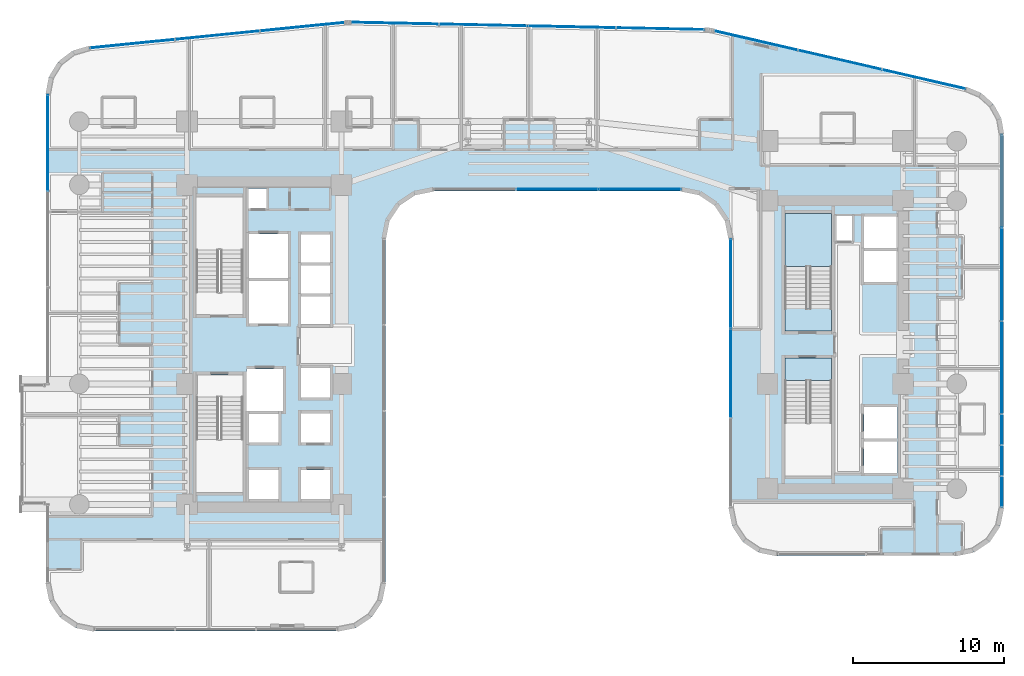
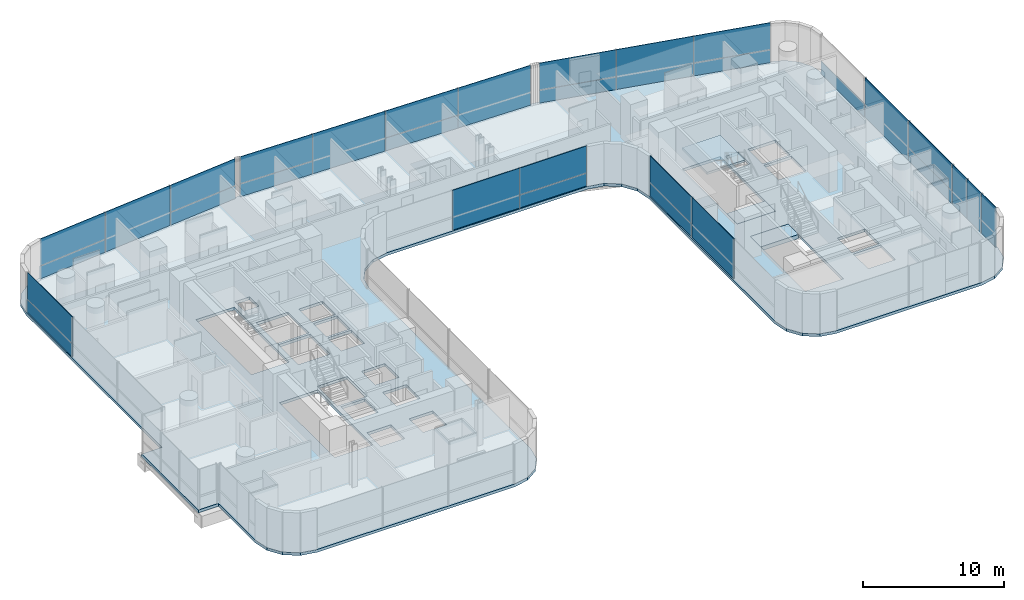
# One storey, part 29 of 42: 31 plates, 4 slabs, 8 elements without a shape of their own.
"""IFC4 building model written with IfcOpenShell, lengths in metres."""

from ifc_helpers import new_model, si_unit, direction, frame, origin, origin_2d, place, context, subcontext, project, spatial, polyline, rectangle, outline, extrude, source, transform, mapped, material, layer, layer_set, type_object, element, aggregate, save


model = new_model("IFC4")

# Units and contexts
model_context = context("Model", 3, precision=1e-05, world=origin(), true_north=direction((0.0, 1.0)))
body_context = subcontext(model_context, "Body", "Model", "MODEL_VIEW")
ifc_project = project(units=[si_unit("LENGTHUNIT", "METRE"), si_unit("AREAUNIT", "SQUARE_METRE"), si_unit("VOLUMEUNIT", "CUBIC_METRE"), si_unit("PLANEANGLEUNIT", "RADIAN"), si_unit("MASSUNIT", "GRAM", prefix="KILO")], contexts=[model_context])

# Site, building, storey
site_placement = place(None, origin())
site = spatial("IfcSite", under=ifc_project, at=site_placement, CompositionType="ELEMENT")
building_placement = place(site_placement, origin())
building = spatial("IfcBuilding", under=site, at=building_placement, Name="Valdorenza Pilgrim Sanctuary Tower", CompositionType="ELEMENT")
storey_placement = place(building_placement, frame((0.0, 0.0, 29.699951171875)))
storey = spatial("IfcBuildingStorey", under=building, at=storey_placement, Name="L06", CompositionType="ELEMENT", Elevation=29.699951171875)

# Slab
ifc_material_1 = material(Name="Concrete C40/50", Category="concrete")
ifc_layer_1 = layer(ifc_material_1, 0.239990234375, Name="Concrete C40/50")
ifc_layer_set_1 = layer_set([ifc_layer_1], Name="Concrete C40/50")
slab_type_1 = type_object("IfcSlabType", Name="SLAB-FLR-220", PredefinedType="FLOOR", material=ifc_layer_set_1)
slab_1_placement = place(storey_placement, frame((0.0, 0.0, -0.239990234375)))
element("IfcSlab", 1, at=slab_1_placement, inside=storey, type_object=slab_type_1, Name="L06 Structural Floor Slab 1", PredefinedType="FLOOR", context=body_context, shape_type="SweptSolid", body=[
    extrude(outline(polyline([(-33.64990234375, -2.60009765625), (-32.0, -2.60009765625), (-32.0, 16.60400390625), (-31.785888671875, 17.754638671875), (-31.172607421875, 18.751220703125), (-30.241943359375, 19.460693359375), (-29.118408203125, 19.7880859375), (-12.192138671875, 21.480712890625), (-11.999755859375, 21.494140625), (-11.806884765625, 21.49609375), (11.66943359375, 21.0068359375), (11.833984375, 20.999267578125), (11.997802734375, 20.983154296875), (12.160888671875, 20.95849609375), (12.322265625, 20.925537109375), (29.01953125, 17.072509765625), (30.00732421875, 16.660888671875), (30.80419921875, 15.946533203125), (31.321044921875, 15.009521484375), (31.5, 13.954345703125), (31.5, -10.800048828125), (31.25634765625, -12.024658203125), (30.562744140625, -13.062744140625), (29.524658203125, -13.75634765625), (28.300048828125, -14.0), (16.5, -14.0), (15.275390625, -13.75634765625), (14.2373046875, -13.062744140625), (13.543701171875, -12.024658203125), (13.300048828125, -10.800048828125), (13.300048828125, 7.0), (13.056396484375, 8.224609375), (12.36279296875, 9.2626953125), (11.32470703125, 9.956298828125), (10.10009765625, 10.199951171875), (-6.300048828125, 10.199951171875), (-7.524658203125, 9.956298828125), (-8.562744140625, 9.2626953125), (-9.25634765625, 8.224609375), (-9.5, 7.0), (-9.5, -15.800048828125), (-9.74365234375, -17.024658203125), (-10.437255859375, -18.062744140625), (-11.475341796875, -18.75634765625), (-12.699951171875, -19.0), (-28.800048828125, -19.0), (-30.024658203125, -18.75634765625), (-31.062744140625, -18.062744140625), (-31.75634765625, -17.024658203125), (-32.0, -15.800048828125), (-32.0, -10.60009765625), (-33.64990234375, -10.60009765625), (-33.64990234375, -2.60009765625)]), holes=[polyline([(-16.60009765625, -10.25), (-16.60009765625, -8.300048828125), (-18.550048828125, -8.300048828125), (-18.550048828125, -10.25), (-16.60009765625, -10.25)]), polyline([(-22.050048828125, -9.800048828125), (-18.93994140625, -9.800048828125), (-18.93994140625, -3.485107421875), (-18.93994140625, -2.0), (-22.050048828125, -2.0), (-22.050048828125, -3.485107421875), (-22.050048828125, -9.800048828125)]), polyline([(-18.550048828125, -6.5), (-16.60009765625, -6.5), (-16.60009765625, -4.60009765625), (-18.550048828125, -4.60009765625), (-18.550048828125, -6.5)]), polyline([(-13.179931640625, -6.5), (-13.179931640625, -4.550048828125), (-15.10009765625, -4.550048828125), (-15.10009765625, -6.5), (-13.179931640625, -6.5)]), polyline([(-18.719970703125, -4.39990234375), (-16.300048828125, -4.39990234375), (-16.300048828125, -1.60009765625), (-18.719970703125, -1.60009765625), (-18.719970703125, -4.39990234375)]), polyline([(-13.179931640625, -3.5), (-13.179931640625, -1.550048828125), (-15.10009765625, -1.550048828125), (-15.10009765625, -3.5), (-13.179931640625, -3.5)]), polyline([(-22.050048828125, 2.0), (-18.93994140625, 2.0), (-18.93994140625, 3.485107421875), (-18.93994140625, 9.800048828125), (-22.050048828125, 9.800048828125), (-22.050048828125, 3.485107421875), (-22.050048828125, 2.0)]), polyline([(-18.550048828125, 1.39990234375), (-15.949951171875, 1.39990234375), (-15.949951171875, 4.22509765625), (-18.550048828125, 4.22509765625), (-18.550048828125, 1.39990234375)]), polyline([(-15.949951171875, 4.425048828125), (-15.949951171875, 7.35009765625), (-18.550048828125, 7.35009765625), (-18.550048828125, 4.425048828125), (-15.949951171875, 4.425048828125)]), polyline([(-15.10009765625, 5.449951171875), (-13.179931640625, 5.449951171875), (-13.179931640625, 7.300048828125), (-15.10009765625, 7.300048828125), (-15.10009765625, 5.449951171875)]), polyline([(-17.360107421875, 9.030029296875), (-17.360107421875, 10.35009765625), (-18.570068359375, 10.35009765625), (-18.570068359375, 9.030029296875), (-17.360107421875, 9.030029296875)]), polyline([(-15.10009765625, -10.25), (-13.179931640625, -10.25), (-13.179931640625, -8.300048828125), (-15.10009765625, -8.300048828125), (-15.10009765625, -10.25)]), polyline([(22.25, -8.5), (24.47998046875, -8.5), (24.47998046875, -6.425048828125), (22.25, -6.425048828125), (22.25, -8.5)]), polyline([(17.0, -2.385009765625), (17.0, -8.699951171875), (20.110107421875, -8.699951171875), (20.110107421875, -2.385009765625), (20.110107421875, -0.89990234375), (17.0, -0.89990234375), (17.0, -2.385009765625)]), polyline([(22.25, -6.22509765625), (24.47998046875, -6.22509765625), (24.47998046875, -4.14990234375), (22.25, -4.14990234375), (22.25, -6.22509765625)]), polyline([(17.0, 0.89990234375), (20.110107421875, 0.89990234375), (20.110107421875, 2.385009765625), (20.110107421875, 8.699951171875), (17.0, 8.699951171875), (17.0, 2.385009765625), (17.0, 0.89990234375)]), polyline([(-15.10009765625, 1.35009765625), (-13.179931640625, 1.35009765625), (-13.179931640625, 3.199951171875), (-15.10009765625, 3.199951171875), (-15.10009765625, 1.35009765625)]), polyline([(-15.10009765625, 3.39990234375), (-13.179931640625, 3.39990234375), (-13.179931640625, 5.25), (-15.10009765625, 5.25), (-15.10009765625, 3.39990234375)]), polyline([(22.25, 4.14990234375), (24.47998046875, 4.14990234375), (24.47998046875, 6.22509765625), (22.25, 6.22509765625), (22.25, 4.14990234375)]), polyline([(22.25, 6.425048828125), (24.47998046875, 6.425048828125), (24.47998046875, 8.5), (22.25, 8.5), (22.25, 6.425048828125)]), polyline([(20.409912109375, 6.860107421875), (21.489990234375, 6.860107421875), (21.489990234375, 8.52001953125), (20.409912109375, 8.52001953125), (20.409912109375, 6.860107421875)])]), origin(), (0.0, 0.0, 1.0), 0.239990234375),
])

# Stair, slab
stair_type = type_object("IfcStairType", Name="STR-DOG-CORE", PredefinedType="HALF_TURN_STAIR", material=ifc_material_1)
stair_placement = place(storey_placement, origin())
stair = element("IfcStair", 2, at=stair_placement, inside=storey, type_object=stair_type, Name="L06 ST-B1", PredefinedType="HALF_TURN_STAIR")
ifc_layer_2 = layer(ifc_material_1, 0.199951171875, Name="Concrete C40/50")
ifc_layer_set_2 = layer_set([ifc_layer_2], Name="Concrete C40/50")
slab_type_2 = type_object("IfcSlabType", Name="SLAB-STL-200", PredefinedType="LANDING", material=ifc_layer_set_2)
slab_2_placement = place(storey_placement, frame((0.0, 0.0, 1.650146484375)))
slab_2 = element("IfcSlab", 3, at=slab_2_placement, type_object=slab_type_2, Name="ST-B1 landing 1", PredefinedType="LANDING", context=body_context, shape_type="SweptSolid", body=[
    extrude(outline(polyline([(20.110107421875, 5.179931640625), (20.110107421875, 8.699951171875), (17.0, 8.699951171875), (17.0, 5.179931640625), (20.110107421875, 5.179931640625)])), origin(), (0.0, 0.0, 1.0), 0.199951171875),
])
aggregate(stair, [slab_2])

# Slabs
ifc_material_2 = material(Name="Concrete C50/60", Category="concrete")
ifc_layer_3 = layer(ifc_material_2, 0.39990234375, Name="Concrete C50/60")
ifc_layer_set_3 = layer_set([ifc_layer_3], Name="Concrete C50/60")
slab_type_3 = type_object("IfcSlabType", Name="SLAB-TRF-400", PredefinedType="FLOOR", material=ifc_layer_set_3)
slab_3_placement = place(storey_placement, frame((0.0, 0.0, -0.35986328125)))
element("IfcSlab", 4, at=slab_3_placement, inside=storey, type_object=slab_type_3, Name="L06 ST-B1 Structural Stair Landing Bearing Slab", PredefinedType="FLOOR", context=body_context, shape_type="SweptSolid", body=[
    extrude(outline(polyline([(17.0, 0.89990234375), (20.110107421875, 0.89990234375), (20.110107421875, 2.385009765625), (17.0, 2.385009765625), (17.0, 0.89990234375)])), origin(), (0.0, 0.0, 1.0), 0.35986328125),
])
slab_4_placement = place(storey_placement, frame((0.0, 0.0, -0.35986328125)))
element("IfcSlab", 5, at=slab_4_placement, inside=storey, type_object=slab_type_3, Name="L06 ST-B2 Structural Stair Landing Bearing Slab", PredefinedType="FLOOR", context=body_context, shape_type="SweptSolid", body=[
    extrude(outline(polyline([(17.0, -2.385009765625), (20.110107421875, -2.385009765625), (20.110107421875, -0.89990234375), (17.0, -0.89990234375), (17.0, -2.385009765625)])), origin(), (0.0, 0.0, 1.0), 0.35986328125),
])

# Curtain wall, plates
ifc_material_3 = material(Name="Curtain-wall IGU glazing", Category="glass")
curtain_wall_type_1 = type_object("IfcCurtainWallType", Name="CW-SYS-02", PredefinedType="NOTDEFINED", material=ifc_material_3)
curtain_wall_1_placement = place(storey_placement, origin())
curtain_wall_1 = element("IfcCurtainWall", 6, at=curtain_wall_1_placement, inside=storey, type_object=curtain_wall_type_1, Name="L06 Curtain Wall CW-L06-1-1S2", PredefinedType="NOTDEFINED")
ifc_material_4 = material(Name="Honed travertine limestone", Category="masonry")
ifc_layer_4 = layer(ifc_material_4, 0.050048828125, Name="Honed travertine limestone")
ifc_layer_set_4 = layer_set([ifc_layer_4], Name="Honed travertine limestone")
plate_type_1 = type_object("IfcPlateType", Name="CW-SPN-TRV", PredefinedType="USERDEFINED", material=ifc_layer_set_4)
shared_shape_1 = source(origin(), body_context, "Body", "SweptSolid", [
    extrude(rectangle(XDim=6.3779296875, YDim=0.06005859375, at=origin_2d()), origin(), (0.0, 0.0, 1.0), 1.10009765625),
])
plate_1_placement = place(storey_placement, frame((-31.889892578125, 13.39501953125, 0.010009765625), z_axis=(0.0, 0.0, 1.0), x_axis=(0.0, 1.0, 0.0)))
plate_1 = element("IfcPlate", 7, at=plate_1_placement, type_object=plate_type_1, Name="CW-L06-1-1S2 Travertine Spandrel 3", ObjectType="SPANDREL", PredefinedType="USERDEFINED", context=body_context, shape_type="MappedRepresentation", body=[
    mapped(shared_shape_1, transform((0.0, 0.0, 0.0), x_axis=(1.0, 0.0, 0.0), y_axis=(0.0, 1.0, 0.0), z_axis=(0.0, 0.0, 1.0), scale=1.0)),
])
ifc_material_5 = material(Name="Ceramic-fritted low-E IGU glazing", Category="glass")
ifc_layer_5 = layer(ifc_material_5, 0.035888671875, Name="Ceramic-fritted low-E IGU glazing")
ifc_layer_set_5 = layer_set([ifc_layer_5], Name="Ceramic-fritted low-E IGU glazing")
plate_type_2 = type_object("IfcPlateType", Name="CW-GLZ-IGU", PredefinedType="USERDEFINED", material=ifc_layer_set_5)
shared_shape_2 = source(origin(), body_context, "Body", "SweptSolid", [
    extrude(rectangle(XDim=6.3779296875, YDim=0.050048828125, at=origin_2d()), origin(), (0.0, 0.0, 1.0), 2.320068359375),
])
plate_2_placement = place(storey_placement, frame((-31.889892578125, 13.39501953125, 1.1298828125), z_axis=(0.0, 0.0, 1.0), x_axis=(0.0, 1.0, 0.0)))
plate_2 = element("IfcPlate", 8, at=plate_2_placement, type_object=plate_type_2, Name="CW-L06-1-1S2 Facade Panel 3", ObjectType="GLAZING", PredefinedType="USERDEFINED", context=body_context, shape_type="MappedRepresentation", body=[
    mapped(shared_shape_2, transform((0.0, 0.0, 0.0), x_axis=(1.0, 0.0, 0.0), y_axis=(0.0, 1.0, 0.0), z_axis=(0.0, 0.0, 1.0), scale=1.0)),
])
aggregate(curtain_wall_1, [plate_1, plate_2])

curtain_wall_2_placement = place(storey_placement, origin())
curtain_wall_2 = element("IfcCurtainWall", 9, at=curtain_wall_2_placement, inside=storey, type_object=curtain_wall_type_1, Name="L06 Curtain Wall CW-L06-1-6", PredefinedType="NOTDEFINED")
shared_shape_3 = source(origin(), body_context, "Body", "SweptSolid", [
    extrude(rectangle(XDim=5.646484375, YDim=0.06005859375, at=origin_2d()), origin(), (0.0, 0.0, 1.0), 1.10009765625),
])
plate_3_placement = place(storey_placement, frame((-26.2783203125, 19.961669921875, 0.010009765625), z_axis=(0.0, 0.0, 1.0), x_axis=(0.995038220239, 0.099493418189, 0.0)))
plate_3 = element("IfcPlate", 10, at=plate_3_placement, type_object=plate_type_1, Name="CW-L06-1-6 Travertine Spandrel 1", ObjectType="SPANDREL", PredefinedType="USERDEFINED", context=body_context, shape_type="MappedRepresentation", body=[
    mapped(shared_shape_3, transform((0.0, 0.0, 0.0), x_axis=(1.0, 0.0, 0.0), y_axis=(0.0, 1.0, 0.0), z_axis=(0.0, 0.0, 1.0), scale=1.0)),
])
plate_4_placement = place(storey_placement, frame((-15.001220703125, 21.08935546875, 0.010009765625), z_axis=(0.0, 0.0, 1.0), x_axis=(0.995038220239, 0.099493418189, 0.0)))
plate_4 = element("IfcPlate", 11, at=plate_4_placement, type_object=plate_type_1, Name="CW-L06-1-6 Travertine Spandrel 3", ObjectType="SPANDREL", PredefinedType="USERDEFINED", context=body_context, shape_type="MappedRepresentation", body=[
    mapped(shared_shape_3, transform((0.0, 0.0, 0.0), x_axis=(1.0, 0.0, 0.0), y_axis=(0.0, 1.0, 0.0), z_axis=(0.0, 0.0, 1.0), scale=1.0)),
])
shared_shape_4 = source(origin(), body_context, "Body", "SweptSolid", [
    extrude(rectangle(XDim=5.646484375, YDim=0.050048828125, at=origin_2d()), origin(), (0.0, 0.0, 1.0), 2.320068359375),
])
plate_5_placement = place(storey_placement, frame((-26.2783203125, 19.961669921875, 1.1298828125), z_axis=(0.0, 0.0, 1.0), x_axis=(0.995038220239, 0.099493418189, 0.0)))
plate_5 = element("IfcPlate", 12, at=plate_5_placement, type_object=plate_type_2, Name="CW-L06-1-6 Facade Panel 1", ObjectType="GLAZING", PredefinedType="USERDEFINED", context=body_context, shape_type="MappedRepresentation", body=[
    mapped(shared_shape_4, transform((0.0, 0.0, 0.0), x_axis=(1.0, 0.0, 0.0), y_axis=(0.0, 1.0, 0.0), z_axis=(0.0, 0.0, 1.0), scale=1.0)),
])
plate_6_placement = place(storey_placement, frame((-15.001220703125, 21.08935546875, 1.1298828125), z_axis=(0.0, 0.0, 1.0), x_axis=(0.995038220239, 0.099493418189, 0.0)))
plate_6 = element("IfcPlate", 13, at=plate_6_placement, type_object=plate_type_2, Name="CW-L06-1-6 Facade Panel 3", ObjectType="GLAZING", PredefinedType="USERDEFINED", context=body_context, shape_type="MappedRepresentation", body=[
    mapped(shared_shape_4, transform((0.0, 0.0, 0.0), x_axis=(1.0, 0.0, 0.0), y_axis=(0.0, 1.0, 0.0), z_axis=(0.0, 0.0, 1.0), scale=1.0)),
])
shared_shape_5 = source(origin(), body_context, "Body", "SweptSolid", [
    extrude(rectangle(XDim=5.646484375, YDim=0.050048828125, at=origin_2d()), origin(), (0.0, 0.0, 1.0), 3.43994140625),
])
plate_7_placement = place(storey_placement, frame((-20.6396484375, 20.525634765625, 0.010009765625), z_axis=(0.0, 0.0, 1.0), x_axis=(0.995038220239, 0.099493418189, 0.0)))
plate_7 = element("IfcPlate", 14, at=plate_7_placement, type_object=plate_type_2, Name="CW-L06-1-6 Full-Height Facade Panel 2", ObjectType="GLAZING", PredefinedType="USERDEFINED", context=body_context, shape_type="MappedRepresentation", body=[
    mapped(shared_shape_5, transform((0.0, 0.0, 0.0), x_axis=(1.0, 0.0, 0.0), y_axis=(0.0, 1.0, 0.0), z_axis=(0.0, 0.0, 1.0), scale=1.0)),
])
aggregate(curtain_wall_2, [plate_3, plate_5, plate_7, plate_4, plate_6])

curtain_wall_3_placement = place(storey_placement, origin())
curtain_wall_3 = element("IfcCurtainWall", 15, at=curtain_wall_3_placement, inside=storey, type_object=curtain_wall_type_1, Name="L06 Curtain Wall CW-L06-1-11", PredefinedType="NOTDEFINED")
shared_shape_6 = source(origin(), body_context, "Body", "SweptSolid", [
    extrude(rectangle(XDim=5.849853515625, YDim=0.06005859375, at=origin_2d()), origin(), (0.0, 0.0, 1.0), 1.10009765625),
])
plate_8_placement = place(storey_placement, frame((-8.8740234375, 21.324951171875, 0.010009765625), z_axis=(0.0, 0.0, 1.0), x_axis=(0.999783234613, -0.020820273474, 0.0)))
plate_8 = element("IfcPlate", 16, at=plate_8_placement, type_object=plate_type_1, Name="CW-L06-1-11 Travertine Spandrel 1", ObjectType="SPANDREL", PredefinedType="USERDEFINED", context=body_context, shape_type="MappedRepresentation", body=[
    mapped(shared_shape_6, transform((0.0, 0.0, 0.0), x_axis=(1.0, 0.0, 0.0), y_axis=(0.0, 1.0, 0.0), z_axis=(0.0, 0.0, 1.0), scale=1.0)),
])
plate_9_placement = place(storey_placement, frame((2.86279296875, 21.080322265625, 0.010009765625), z_axis=(0.0, 0.0, 1.0), x_axis=(0.999783234613, -0.020820273474, 0.0)))
plate_9 = element("IfcPlate", 17, at=plate_9_placement, type_object=plate_type_1, Name="CW-L06-1-11 Travertine Spandrel 3", ObjectType="SPANDREL", PredefinedType="USERDEFINED", context=body_context, shape_type="MappedRepresentation", body=[
    mapped(shared_shape_6, transform((0.0, 0.0, 0.0), x_axis=(1.0, 0.0, 0.0), y_axis=(0.0, 1.0, 0.0), z_axis=(0.0, 0.0, 1.0), scale=1.0)),
])
shared_shape_7 = source(origin(), body_context, "Body", "SweptSolid", [
    extrude(rectangle(XDim=5.849853515625, YDim=0.050048828125, at=origin_2d()), origin(), (0.0, 0.0, 1.0), 2.320068359375),
])
plate_10_placement = place(storey_placement, frame((-8.8740234375, 21.324951171875, 1.1298828125), z_axis=(0.0, 0.0, 1.0), x_axis=(0.999783234613, -0.020820273474, 0.0)))
plate_10 = element("IfcPlate", 18, at=plate_10_placement, type_object=plate_type_2, Name="CW-L06-1-11 Facade Panel 1", ObjectType="GLAZING", PredefinedType="USERDEFINED", context=body_context, shape_type="MappedRepresentation", body=[
    mapped(shared_shape_7, transform((0.0, 0.0, 0.0), x_axis=(1.0, 0.0, 0.0), y_axis=(0.0, 1.0, 0.0), z_axis=(0.0, 0.0, 1.0), scale=1.0)),
])
plate_11_placement = place(storey_placement, frame((2.86279296875, 21.080322265625, 1.1298828125), z_axis=(0.0, 0.0, 1.0), x_axis=(0.999783234613, -0.020820273474, 0.0)))
plate_11 = element("IfcPlate", 19, at=plate_11_placement, type_object=plate_type_2, Name="CW-L06-1-11 Facade Panel 3", ObjectType="GLAZING", PredefinedType="USERDEFINED", context=body_context, shape_type="MappedRepresentation", body=[
    mapped(shared_shape_7, transform((0.0, 0.0, 0.0), x_axis=(1.0, 0.0, 0.0), y_axis=(0.0, 1.0, 0.0), z_axis=(0.0, 0.0, 1.0), scale=1.0)),
])
shared_shape_8 = source(origin(), body_context, "Body", "SweptSolid", [
    extrude(rectangle(XDim=5.849853515625, YDim=0.050048828125, at=origin_2d()), origin(), (0.0, 0.0, 1.0), 3.43994140625),
])
plate_12_placement = place(storey_placement, frame((-3.005615234375, 21.20263671875, 0.010009765625), z_axis=(0.0, 0.0, 1.0), x_axis=(0.999783234613, -0.020820273474, 0.0)))
plate_12 = element("IfcPlate", 20, at=plate_12_placement, type_object=plate_type_2, Name="CW-L06-1-11 Full-Height Facade Panel 2", ObjectType="GLAZING", PredefinedType="USERDEFINED", context=body_context, shape_type="MappedRepresentation", body=[
    mapped(shared_shape_8, transform((0.0, 0.0, 0.0), x_axis=(1.0, 0.0, 0.0), y_axis=(0.0, 1.0, 0.0), z_axis=(0.0, 0.0, 1.0), scale=1.0)),
])
plate_13_placement = place(storey_placement, frame((8.7314453125, 20.9580078125, 0.010009765625), z_axis=(0.0, 0.0, 1.0), x_axis=(0.999783234613, -0.020820273474, 0.0)))
plate_13 = element("IfcPlate", 21, at=plate_13_placement, type_object=plate_type_2, Name="CW-L06-1-11 Full-Height Facade Panel 4", ObjectType="GLAZING", PredefinedType="USERDEFINED", context=body_context, shape_type="MappedRepresentation", body=[
    mapped(shared_shape_8, transform((0.0, 0.0, 0.0), x_axis=(1.0, 0.0, 0.0), y_axis=(0.0, 1.0, 0.0), z_axis=(0.0, 0.0, 1.0), scale=1.0)),
])
aggregate(curtain_wall_3, [plate_8, plate_10, plate_12, plate_9, plate_11, plate_13])

curtain_wall_type_2 = type_object("IfcCurtainWallType", Name="CW-SYS-03", PredefinedType="NOTDEFINED", material=ifc_material_3)
curtain_wall_4_placement = place(storey_placement, origin())
curtain_wall_4 = element("IfcCurtainWall", 22, at=curtain_wall_4_placement, inside=storey, type_object=curtain_wall_type_2, Name="L06 Curtain Wall CW-L06-1-16", PredefinedType="NOTDEFINED")
shared_shape_9 = source(origin(), body_context, "Body", "SweptSolid", [
    extrude(rectangle(XDim=5.6884765625, YDim=0.06005859375, at=origin_2d()), origin(), (0.0, 0.0, 1.0), 1.10009765625),
])
plate_14_placement = place(storey_placement, frame((15.080078125, 20.17626953125, 0.010009765625), z_axis=(0.0, 0.0, 1.0), x_axis=(0.974389691758, -0.224866023659, 0.0)))
plate_14 = element("IfcPlate", 23, at=plate_14_placement, type_object=plate_type_1, Name="CW-L06-1-16 Travertine Spandrel 1", ObjectType="SPANDREL", PredefinedType="USERDEFINED", context=body_context, shape_type="MappedRepresentation", body=[
    mapped(shared_shape_9, transform((0.0, 0.0, 0.0), x_axis=(1.0, 0.0, 0.0), y_axis=(0.0, 1.0, 0.0), z_axis=(0.0, 0.0, 1.0), scale=1.0)),
])
plate_15_placement = place(storey_placement, frame((26.20458984375, 17.609130859375, 0.010009765625), z_axis=(0.0, 0.0, 1.0), x_axis=(0.974389691758, -0.224866023659, 0.0)))
plate_15 = element("IfcPlate", 24, at=plate_15_placement, type_object=plate_type_1, Name="CW-L06-1-16 Travertine Spandrel 3", ObjectType="SPANDREL", PredefinedType="USERDEFINED", context=body_context, shape_type="MappedRepresentation", body=[
    mapped(shared_shape_9, transform((0.0, 0.0, 0.0), x_axis=(1.0, 0.0, 0.0), y_axis=(0.0, 1.0, 0.0), z_axis=(0.0, 0.0, 1.0), scale=1.0)),
])
shared_shape_10 = source(origin(), body_context, "Body", "SweptSolid", [
    extrude(rectangle(XDim=5.6884765625, YDim=0.050048828125, at=origin_2d()), origin(), (0.0, 0.0, 1.0), 2.320068359375),
])
plate_16_placement = place(storey_placement, frame((15.080078125, 20.17626953125, 1.1298828125), z_axis=(0.0, 0.0, 1.0), x_axis=(0.974389691758, -0.224866023659, 0.0)))
plate_16 = element("IfcPlate", 25, at=plate_16_placement, type_object=plate_type_2, Name="CW-L06-1-16 Facade Panel 1", ObjectType="GLAZING", PredefinedType="USERDEFINED", context=body_context, shape_type="MappedRepresentation", body=[
    mapped(shared_shape_10, transform((0.0, 0.0, 0.0), x_axis=(1.0, 0.0, 0.0), y_axis=(0.0, 1.0, 0.0), z_axis=(0.0, 0.0, 1.0), scale=1.0)),
])
plate_17_placement = place(storey_placement, frame((26.20458984375, 17.609130859375, 1.1298828125), z_axis=(0.0, 0.0, 1.0), x_axis=(0.974389691758, -0.224866023659, 0.0)))
plate_17 = element("IfcPlate", 26, at=plate_17_placement, type_object=plate_type_2, Name="CW-L06-1-16 Facade Panel 3", ObjectType="GLAZING", PredefinedType="USERDEFINED", context=body_context, shape_type="MappedRepresentation", body=[
    mapped(shared_shape_10, transform((0.0, 0.0, 0.0), x_axis=(1.0, 0.0, 0.0), y_axis=(0.0, 1.0, 0.0), z_axis=(0.0, 0.0, 1.0), scale=1.0)),
])
shared_shape_11 = source(origin(), body_context, "Body", "SweptSolid", [
    extrude(rectangle(XDim=5.6884765625, YDim=0.050048828125, at=origin_2d()), origin(), (0.0, 0.0, 1.0), 3.43994140625),
])
plate_18_placement = place(storey_placement, frame((20.642333984375, 18.892578125, 0.010009765625), z_axis=(0.0, 0.0, 1.0), x_axis=(0.974389691758, -0.224866023659, 0.0)))
plate_18 = element("IfcPlate", 27, at=plate_18_placement, type_object=plate_type_2, Name="CW-L06-1-16 Full-Height Facade Panel 2", ObjectType="GLAZING", PredefinedType="USERDEFINED", context=body_context, shape_type="MappedRepresentation", body=[
    mapped(shared_shape_11, transform((0.0, 0.0, 0.0), x_axis=(1.0, 0.0, 0.0), y_axis=(0.0, 1.0, 0.0), z_axis=(0.0, 0.0, 1.0), scale=1.0)),
])
aggregate(curtain_wall_4, [plate_14, plate_16, plate_18, plate_15, plate_17])

curtain_wall_5_placement = place(storey_placement, origin())
curtain_wall_5 = element("IfcCurtainWall", 28, at=curtain_wall_5_placement, inside=storey, type_object=curtain_wall_type_2, Name="L06 Curtain Wall CW-L06-1-21", PredefinedType="NOTDEFINED")
shared_shape_12 = source(origin(), body_context, "Body", "SweptSolid", [
    extrude(rectangle(XDim=6.16357421875, YDim=0.06005859375, at=origin_2d()), origin(), (0.0, 0.0, 1.0), 1.10009765625),
])
plate_19_placement = place(storey_placement, frame((31.389892578125, 10.853271484375, 0.010009765625), z_axis=(0.0, 0.0, 1.0), x_axis=(0.0, -1.0, 0.0)))
plate_19 = element("IfcPlate", 29, at=plate_19_placement, type_object=plate_type_1, Name="CW-L06-1-21 Travertine Spandrel 1", ObjectType="SPANDREL", PredefinedType="USERDEFINED", context=body_context, shape_type="MappedRepresentation", body=[
    mapped(shared_shape_12, transform((0.0, 0.0, 0.0), x_axis=(1.0, 0.0, 0.0), y_axis=(0.0, 1.0, 0.0), z_axis=(0.0, 0.0, 1.0), scale=1.0)),
])
plate_20_placement = place(storey_placement, frame((31.389892578125, -1.513916015625, 0.010009765625), z_axis=(0.0, 0.0, 1.0), x_axis=(0.0, -1.0, 0.0)))
plate_20 = element("IfcPlate", 30, at=plate_20_placement, type_object=plate_type_1, Name="CW-L06-1-21 Travertine Spandrel 3", ObjectType="SPANDREL", PredefinedType="USERDEFINED", context=body_context, shape_type="MappedRepresentation", body=[
    mapped(shared_shape_12, transform((0.0, 0.0, 0.0), x_axis=(1.0, 0.0, 0.0), y_axis=(0.0, 1.0, 0.0), z_axis=(0.0, 0.0, 1.0), scale=1.0)),
])
shared_shape_13 = source(origin(), body_context, "Body", "SweptSolid", [
    extrude(rectangle(XDim=6.16357421875, YDim=0.050048828125, at=origin_2d()), origin(), (0.0, 0.0, 1.0), 2.320068359375),
])
plate_21_placement = place(storey_placement, frame((31.389892578125, -1.513916015625, 1.1298828125), z_axis=(0.0, 0.0, 1.0), x_axis=(0.0, -1.0, 0.0)))
plate_21 = element("IfcPlate", 31, at=plate_21_placement, type_object=plate_type_2, Name="CW-L06-1-21 Facade Panel 3", ObjectType="GLAZING", PredefinedType="USERDEFINED", context=body_context, shape_type="MappedRepresentation", body=[
    mapped(shared_shape_13, transform((0.0, 0.0, 0.0), x_axis=(1.0, 0.0, 0.0), y_axis=(0.0, 1.0, 0.0), z_axis=(0.0, 0.0, 1.0), scale=1.0)),
])
shared_shape_14 = source(origin(), body_context, "Body", "SweptSolid", [
    extrude(rectangle(XDim=6.16357421875, YDim=0.050048828125, at=origin_2d()), origin(), (0.0, 0.0, 1.0), 3.43994140625),
])
plate_22_placement = place(storey_placement, frame((31.389892578125, 4.669677734375, 0.010009765625), z_axis=(0.0, 0.0, 1.0), x_axis=(0.0, -1.0, 0.0)))
plate_22 = element("IfcPlate", 32, at=plate_22_placement, type_object=plate_type_2, Name="CW-L06-1-21 Full-Height Facade Panel 2", ObjectType="GLAZING", PredefinedType="USERDEFINED", context=body_context, shape_type="MappedRepresentation", body=[
    mapped(shared_shape_14, transform((0.0, 0.0, 0.0), x_axis=(1.0, 0.0, 0.0), y_axis=(0.0, 1.0, 0.0), z_axis=(0.0, 0.0, 1.0), scale=1.0)),
])

curtain_wall_6_placement = place(storey_placement, origin())
curtain_wall_6 = element("IfcCurtainWall", 33, at=curtain_wall_6_placement, inside=storey, type_object=curtain_wall_type_2, Name="L06 Curtain Wall CW-L06-1-31", PredefinedType="NOTDEFINED")
shared_shape_15 = source(origin(), body_context, "Body", "SweptSolid", [
    extrude(rectangle(XDim=5.913330078125, YDim=0.06005859375, at=origin_2d()), origin(), (0.0, 0.0, 1.0), 1.10009765625),
])
plate_23_placement = place(storey_placement, frame((13.409912109375, 4.044189453125, 0.010009765625), z_axis=(0.0, 0.0, 1.0), x_axis=(0.0, 1.0, 0.0)))
plate_23 = element("IfcPlate", 34, at=plate_23_placement, type_object=plate_type_1, Name="CW-L06-1-31 Travertine Spandrel 3", ObjectType="SPANDREL", PredefinedType="USERDEFINED", context=body_context, shape_type="MappedRepresentation", body=[
    mapped(shared_shape_15, transform((0.0, 0.0, 0.0), x_axis=(1.0, 0.0, 0.0), y_axis=(0.0, 1.0, 0.0), z_axis=(0.0, 0.0, 1.0), scale=1.0)),
])
shared_shape_16 = source(origin(), body_context, "Body", "SweptSolid", [
    extrude(rectangle(XDim=5.913330078125, YDim=0.050048828125, at=origin_2d()), origin(), (0.0, 0.0, 1.0), 2.320068359375),
])
plate_24_placement = place(storey_placement, frame((13.409912109375, 4.044189453125, 1.1298828125), z_axis=(0.0, 0.0, 1.0), x_axis=(0.0, 1.0, 0.0)))
plate_24 = element("IfcPlate", 35, at=plate_24_placement, type_object=plate_type_2, Name="CW-L06-1-31 Facade Panel 3", ObjectType="GLAZING", PredefinedType="USERDEFINED", context=body_context, shape_type="MappedRepresentation", body=[
    mapped(shared_shape_16, transform((0.0, 0.0, 0.0), x_axis=(1.0, 0.0, 0.0), y_axis=(0.0, 1.0, 0.0), z_axis=(0.0, 0.0, 1.0), scale=1.0)),
])
shared_shape_17 = source(origin(), body_context, "Body", "SweptSolid", [
    extrude(rectangle(XDim=5.913330078125, YDim=0.050048828125, at=origin_2d()), origin(), (0.0, 0.0, 1.0), 3.43994140625),
])
plate_25_placement = place(storey_placement, frame((13.409912109375, -1.88916015625, 0.010009765625), z_axis=(0.0, 0.0, 1.0), x_axis=(0.0, 1.0, 0.0)))
plate_25 = element("IfcPlate", 36, at=plate_25_placement, type_object=plate_type_2, Name="CW-L06-1-31 Full-Height Facade Panel 2", ObjectType="GLAZING", PredefinedType="USERDEFINED", context=body_context, shape_type="MappedRepresentation", body=[
    mapped(shared_shape_17, transform((0.0, 0.0, 0.0), x_axis=(1.0, 0.0, 0.0), y_axis=(0.0, 1.0, 0.0), z_axis=(0.0, 0.0, 1.0), scale=1.0)),
])
aggregate(curtain_wall_6, [plate_25, plate_23, plate_24])

curtain_wall_7_placement = place(storey_placement, origin())
curtain_wall_7 = element("IfcCurtainWall", 37, at=curtain_wall_7_placement, inside=storey, type_object=curtain_wall_type_1, Name="L06 Curtain Wall CW-L06-1-36", PredefinedType="NOTDEFINED")
shared_shape_18 = source(origin(), body_context, "Body", "SweptSolid", [
    extrude(rectangle(XDim=5.453857421875, YDim=0.06005859375, at=origin_2d()), origin(), (0.0, 0.0, 1.0), 1.10009765625),
])
plate_26_placement = place(storey_placement, frame((7.373779296875, 10.31005859375, 0.010009765625), z_axis=(0.0, 0.0, 1.0), x_axis=(-1.0, 0.0, 0.0)))
plate_26 = element("IfcPlate", 38, at=plate_26_placement, type_object=plate_type_1, Name="CW-L06-1-36 Travertine Spandrel 1", ObjectType="SPANDREL", PredefinedType="USERDEFINED", context=body_context, shape_type="MappedRepresentation", body=[
    mapped(shared_shape_18, transform((0.0, 0.0, 0.0), x_axis=(1.0, 0.0, 0.0), y_axis=(0.0, 1.0, 0.0), z_axis=(0.0, 0.0, 1.0), scale=1.0)),
])
shared_shape_19 = source(origin(), body_context, "Body", "SweptSolid", [
    extrude(rectangle(XDim=5.453857421875, YDim=0.050048828125, at=origin_2d()), origin(), (0.0, 0.0, 1.0), 2.320068359375),
])
plate_27_placement = place(storey_placement, frame((7.373779296875, 10.31005859375, 1.1298828125), z_axis=(0.0, 0.0, 1.0), x_axis=(-1.0, 0.0, 0.0)))
plate_27 = element("IfcPlate", 39, at=plate_27_placement, type_object=plate_type_2, Name="CW-L06-1-36 Facade Panel 1", ObjectType="GLAZING", PredefinedType="USERDEFINED", context=body_context, shape_type="MappedRepresentation", body=[
    mapped(shared_shape_19, transform((0.0, 0.0, 0.0), x_axis=(1.0, 0.0, 0.0), y_axis=(0.0, 1.0, 0.0), z_axis=(0.0, 0.0, 1.0), scale=1.0)),
])
shared_shape_20 = source(origin(), body_context, "Body", "SweptSolid", [
    extrude(rectangle(XDim=5.453857421875, YDim=0.050048828125, at=origin_2d()), origin(), (0.0, 0.0, 1.0), 3.43994140625),
])
plate_28_placement = place(storey_placement, frame((1.89990234375, 10.31005859375, 0.010009765625), z_axis=(0.0, 0.0, 1.0), x_axis=(-1.0, 0.0, 0.0)))
plate_28 = element("IfcPlate", 40, at=plate_28_placement, type_object=plate_type_2, Name="CW-L06-1-36 Full-Height Facade Panel 2", ObjectType="GLAZING", PredefinedType="USERDEFINED", context=body_context, shape_type="MappedRepresentation", body=[
    mapped(shared_shape_20, transform((0.0, 0.0, 0.0), x_axis=(1.0, 0.0, 0.0), y_axis=(0.0, 1.0, 0.0), z_axis=(0.0, 0.0, 1.0), scale=1.0)),
])
aggregate(curtain_wall_7, [plate_26, plate_27, plate_28])

# Plate
shared_shape_21 = source(origin(), body_context, "Body", "SweptSolid", [
    extrude(rectangle(XDim=2.034423828125, YDim=0.050048828125, at=origin_2d()), origin(), (0.0, 0.0, 1.0), 3.43994140625),
])
plate_29_placement = place(storey_placement, frame((31.389892578125, -5.642822265625, 0.010009765625), z_axis=(0.0, 0.0, 1.0), x_axis=(0.0, -1.0, 0.0)))
plate_29 = element("IfcPlate", 41, at=plate_29_placement, type_object=plate_type_2, Name="CW-L06-1-21 Full-Height Facade Panel 4 Sub 1", ObjectType="GLAZING", PredefinedType="USERDEFINED", context=body_context, shape_type="MappedRepresentation", body=[
    mapped(shared_shape_21, transform((0.0, 0.0, 0.0), x_axis=(1.0, 0.0, 0.0), y_axis=(0.0, 1.0, 0.0), z_axis=(0.0, 0.0, 1.0), scale=1.0)),
])

plate_30_placement = place(storey_placement, frame((31.389892578125, -7.697509765625, 0.010009765625), z_axis=(0.0, 0.0, 1.0), x_axis=(0.0, -1.0, 0.0)))
plate_30 = element("IfcPlate", 42, at=plate_30_placement, type_object=plate_type_2, Name="CW-L06-1-21 Full-Height Facade Panel 4 Sub 2", ObjectType="GLAZING", PredefinedType="USERDEFINED", context=body_context, shape_type="MappedRepresentation", body=[
    mapped(shared_shape_21, transform((0.0, 0.0, 0.0), x_axis=(1.0, 0.0, 0.0), y_axis=(0.0, 1.0, 0.0), z_axis=(0.0, 0.0, 1.0), scale=1.0)),
])

plate_31_placement = place(storey_placement, frame((31.389892578125, -9.751953125, 0.010009765625), z_axis=(0.0, 0.0, 1.0), x_axis=(0.0, -1.0, 0.0)))
plate_31 = element("IfcPlate", 43, at=plate_31_placement, type_object=plate_type_2, Name="CW-L06-1-21 Full-Height Facade Panel 4 Sub 3", ObjectType="GLAZING", PredefinedType="USERDEFINED", context=body_context, shape_type="MappedRepresentation", body=[
    mapped(shared_shape_21, transform((0.0, 0.0, 0.0), x_axis=(1.0, 0.0, 0.0), y_axis=(0.0, 1.0, 0.0), z_axis=(0.0, 0.0, 1.0), scale=1.0)),
])

aggregate(curtain_wall_5, [plate_19, plate_22, plate_20, plate_21, plate_29, plate_30, plate_31])

save(model, "model.ifc")
